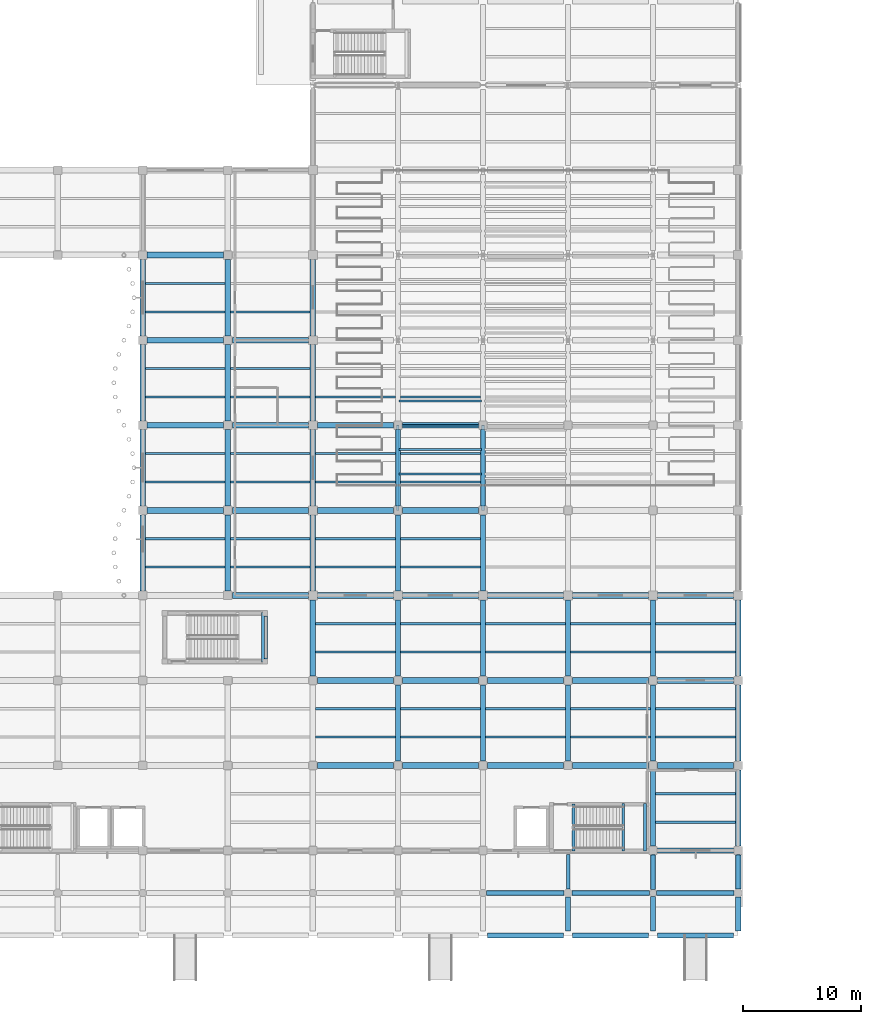
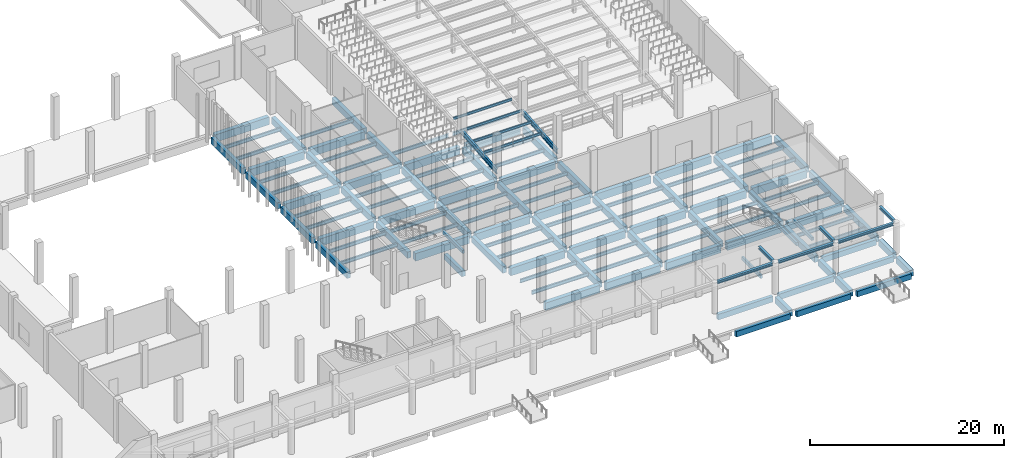
# One storey, part 16 of 46: 132 beams.
"""IFC4 building model written with IfcOpenShell, lengths in metres."""

from ifc_helpers import new_model, si_unit, direction, frame, origin, origin_2d, place, context, subcontext, project, spatial, rectangle, i_section, extrude, material, material_profile, profile_set, type_object, element, save


model = new_model("IFC4")

# Units and contexts
model_context = context("Model", 3, precision=1e-05, world=origin(), true_north=direction((0.0, 1.0)))
body_context = subcontext(model_context, "Body", "Model", "MODEL_VIEW")
ifc_project = project(units=[si_unit("LENGTHUNIT", "METRE"), si_unit("AREAUNIT", "SQUARE_METRE"), si_unit("VOLUMEUNIT", "CUBIC_METRE"), si_unit("PLANEANGLEUNIT", "RADIAN"), si_unit("MASSUNIT", "GRAM", prefix="KILO"), si_unit("THERMODYNAMICTEMPERATUREUNIT", "KELVIN"), si_unit("POWERUNIT", "WATT")], contexts=[model_context])

# Site, building, storey
site_placement = place(None, origin())
site = spatial("IfcSite", under=ifc_project, at=site_placement, CompositionType="ELEMENT")
building_placement = place(site_placement, origin())
building = spatial("IfcBuilding", under=site, at=building_placement, Name="Kaldorven Railside Theatre", CompositionType="ELEMENT")
storey_placement = place(building_placement, origin())
storey = spatial("IfcBuildingStorey", under=building, at=storey_placement, Name="L00", CompositionType="ELEMENT", Elevation=0.0)

# Beams
ifc_material_1 = material(Name="Steel S355", Category="steel")
ifc_material_profile_1 = material_profile(ifc_material_1, i_section(OverallWidth=0.300048828125, OverallDepth=0.340087890625, WebThickness=0.011962890625, FlangeThickness=0.021484375, at=origin_2d()), Name="HEB 340")
ifc_profile_set_1 = profile_set([ifc_material_profile_1], Name="Steel S355")
beam_type_1 = type_object("IfcBeamType", Name="BM-HEB340", PredefinedType="SPANDREL", material=ifc_profile_set_1)
beam_1_placement = place(storey_placement, frame((108.800048828125, 15.949951171875, 3.739990234375), z_axis=(0.0, 1.0, 0.0), x_axis=(-1.0, 0.0, 0.0)))
element("IfcBeam", 1, at=beam_1_placement, inside=storey, type_object=beam_type_1, Name="Forecourt Canopy Outrigger Beam CANB-15", PredefinedType="SPANDREL", context=body_context, shape_type="SweptSolid", body=[
    extrude(i_section(OverallWidth=0.300048828125, OverallDepth=0.340087890625, WebThickness=0.011962890625, FlangeThickness=0.021484375, at=origin_2d()), origin(), (0.0, 0.0, 1.0), 2.900146484375),
])
beam_2_placement = place(storey_placement, frame((116.0, 15.89990234375, 3.739990234375), z_axis=(0.0, 1.0, 0.0), x_axis=(-1.0, 0.0, 0.0)))
element("IfcBeam", 2, at=beam_2_placement, inside=storey, type_object=beam_type_1, Name="Forecourt Canopy Outrigger Beam CANB-16", PredefinedType="SPANDREL", context=body_context, shape_type="SweptSolid", body=[
    extrude(i_section(OverallWidth=0.300048828125, OverallDepth=0.340087890625, WebThickness=0.011962890625, FlangeThickness=0.021484375, at=origin_2d()), origin(), (0.0, 0.0, 1.0), 2.9501953125),
])
beam_3_placement = place(storey_placement, frame((123.199951171875, 15.949951171875, 3.739990234375), z_axis=(0.0, 1.0, 0.0), x_axis=(-1.0, 0.0, 0.0)))
element("IfcBeam", 3, at=beam_3_placement, inside=storey, type_object=beam_type_1, Name="Forecourt Canopy Outrigger Beam CANB-17", PredefinedType="SPANDREL", context=body_context, shape_type="SweptSolid", body=[
    extrude(i_section(OverallWidth=0.300048828125, OverallDepth=0.340087890625, WebThickness=0.011962890625, FlangeThickness=0.021484375, at=origin_2d()), origin(), (0.0, 0.0, 1.0), 2.900146484375),
])
for number, where, z_axis, x_axis, name in (
    (4, (101.89990234375, 15.60009765625, 3.739990234375), (1.0, 0.0, 0.0), (0.0, 1.0, 0.0), "Forecourt Canopy Front Edge Girder CANE-14"),
    (5, (109.14990234375, 15.60009765625, 3.739990234375), (1.0, 0.0, 0.0), (0.0, 1.0, 0.0), "Forecourt Canopy Front Edge Girder CANE-15"),
    (6, (116.300048828125, 15.60009765625, 3.739990234375), (1.0, 0.0, 0.0), (0.0, 1.0, 0.0), "Forecourt Canopy Front Edge Girder CANE-16"),
):
    element("IfcBeam", number, at=place(storey_placement, frame(where, z_axis=z_axis, x_axis=x_axis)), inside=storey, type_object=beam_type_1, Name=name, PredefinedType="SPANDREL", context=body_context, shape_type="SweptSolid", body=[
        extrude(i_section(OverallWidth=0.300048828125, OverallDepth=0.340087890625, WebThickness=0.011962890625, FlangeThickness=0.021484375, at=origin_2d()), origin(), (0.0, 0.0, 1.0), 6.550048828125),
    ])
ifc_material_profile_2 = material_profile(ifc_material_1, i_section(OverallWidth=0.14990234375, OverallDepth=0.300048828125, WebThickness=0.007080078125, FlangeThickness=0.0107421875, at=origin_2d()), Name="IPE 300")
ifc_profile_set_2 = profile_set([ifc_material_profile_2], Name="Steel S355")
beam_type_2 = type_object("IfcBeamType", Name="BM-IPE300", PredefinedType="JOIST", material=ifc_profile_set_2)
for number, where, z_axis, x_axis, name in (
    (7, (94.510009765625, 51.08544921875, 1.080078125), (1.0, 0.0, 0.0), (0.0, 1.0, 0.0), "Seating Tier Transverse Bearer TBR-V1S-021"),
    (8, (94.510009765625, 53.142578125, 1.260009765625), (1.0, 0.0, 0.0), (0.0, 1.0, 0.0), "Seating Tier Transverse Bearer TBR-V1S-031"),
    (9, (94.510009765625, 55.199462890625, 1.43994140625), (1.0, 0.0, 0.0), (0.0, 1.0, 0.0), "Seating Tier Transverse Bearer TBR-V1S-041"),
    (10, (94.510009765625, 57.256591796875, 1.6201171875), (1.0, 0.0, 0.0), (0.0, 1.0, 0.0), "Seating Tier Transverse Bearer TBR-V1S-051"),
):
    element("IfcBeam", number, at=place(storey_placement, frame(where, z_axis=z_axis, x_axis=x_axis)), inside=storey, type_object=beam_type_2, Name=name, PredefinedType="JOIST", context=body_context, shape_type="SweptSolid", body=[
        extrude(i_section(OverallWidth=0.14990234375, OverallDepth=0.300048828125, WebThickness=0.007080078125, FlangeThickness=0.0107421875, at=origin_2d()), origin(), (0.0, 0.0, 1.0), 6.97998046875),
    ])
ifc_material_profile_3 = material_profile(ifc_material_1, i_section(OverallWidth=0.18994140625, OverallDepth=0.449951171875, WebThickness=0.009521484375, FlangeThickness=0.0146484375, at=origin_2d()), Name="IPE 450")
ifc_profile_set_3 = profile_set([ifc_material_profile_3], Name="Steel S355")
beam_type_3 = type_object("IfcBeamType", Name="BM-IPE450", PredefinedType="JOIST", material=ifc_profile_set_3)
for number, where, z_axis, x_axis, name in (
    (11, (116.22509765625, 21.60009765625, -0.544921875), (1.0, 0.0, 0.0), (0.0, 1.0, 0.0), "L00 Secondary Floor Joist JG-L00-116-0216"),
    (12, (116.22509765625, 24.0, -0.544921875), (1.0, 0.0, 0.0), (0.0, 1.0, 0.0), "L00 Secondary Floor Joist JG-L00-116-0240"),
    (13, (87.425048828125, 28.800048828125, -0.544921875), (1.0, 0.0, 0.0), (0.0, 1.0, 0.0), "L00 Secondary Floor Joist JG-L00-087-0288"),
    (14, (87.425048828125, 31.199951171875, -0.544921875), (1.0, 0.0, 0.0), (0.0, 1.0, 0.0), "L00 Secondary Floor Joist JG-L00-087-0312"),
    (15, (94.625, 28.800048828125, -0.544921875), (1.0, 0.0, 0.0), (0.0, 1.0, 0.0), "L00 Secondary Floor Joist JG-L00-094-0288"),
    (16, (94.625, 31.199951171875, -0.544921875), (1.0, 0.0, 0.0), (0.0, 1.0, 0.0), "L00 Secondary Floor Joist JG-L00-094-0312"),
    (17, (101.824951171875, 28.800048828125, -0.544921875), (1.0, 0.0, 0.0), (0.0, 1.0, 0.0), "L00 Secondary Floor Joist JG-L00-101-0288"),
    (18, (101.824951171875, 31.199951171875, -0.544921875), (1.0, 0.0, 0.0), (0.0, 1.0, 0.0), "L00 Secondary Floor Joist JG-L00-101-0312"),
    (19, (109.02490234375, 28.800048828125, -0.544921875), (1.0, 0.0, 0.0), (0.0, 1.0, 0.0), "L00 Secondary Floor Joist JG-L00-108-0288"),
    (20, (109.02490234375, 31.199951171875, -0.544921875), (1.0, 0.0, 0.0), (0.0, 1.0, 0.0), "L00 Secondary Floor Joist JG-L00-108-0312"),
    (21, (116.22509765625, 28.800048828125, -0.544921875), (1.0, 0.0, 0.0), (0.0, 1.0, 0.0), "L00 Secondary Floor Joist JG-L00-116-0288"),
    (22, (116.22509765625, 31.199951171875, -0.544921875), (1.0, 0.0, 0.0), (0.0, 1.0, 0.0), "L00 Secondary Floor Joist JG-L00-116-0312"),
    (23, (87.425048828125, 36.0, -0.544921875), (1.0, 0.0, 0.0), (0.0, 1.0, 0.0), "L00 Secondary Floor Joist JG-L00-087-0360"),
    (24, (87.425048828125, 38.39990234375, -0.544921875), (1.0, 0.0, 0.0), (0.0, 1.0, 0.0), "L00 Secondary Floor Joist JG-L00-087-0384"),
    (25, (94.625, 36.0, -0.544921875), (1.0, 0.0, 0.0), (0.0, 1.0, 0.0), "L00 Secondary Floor Joist JG-L00-094-0360"),
    (26, (94.625, 38.39990234375, -0.544921875), (1.0, 0.0, 0.0), (0.0, 1.0, 0.0), "L00 Secondary Floor Joist JG-L00-094-0384"),
    (27, (101.824951171875, 36.0, -0.544921875), (1.0, 0.0, 0.0), (0.0, 1.0, 0.0), "L00 Secondary Floor Joist JG-L00-101-0360"),
    (28, (101.824951171875, 38.39990234375, -0.544921875), (1.0, 0.0, 0.0), (0.0, 1.0, 0.0), "L00 Secondary Floor Joist JG-L00-101-0384"),
    (29, (109.02490234375, 36.0, -0.544921875), (1.0, 0.0, 0.0), (0.0, 1.0, 0.0), "L00 Secondary Floor Joist JG-L00-108-0360"),
    (30, (109.02490234375, 38.39990234375, -0.544921875), (1.0, 0.0, 0.0), (0.0, 1.0, 0.0), "L00 Secondary Floor Joist JG-L00-108-0384"),
    (31, (116.22509765625, 36.0, -0.544921875), (1.0, 0.0, 0.0), (0.0, 1.0, 0.0), "L00 Secondary Floor Joist JG-L00-116-0360"),
    (32, (116.22509765625, 38.39990234375, -0.544921875), (1.0, 0.0, 0.0), (0.0, 1.0, 0.0), "L00 Secondary Floor Joist JG-L00-116-0384"),
    (33, (73.02490234375, 43.199951171875, -0.52490234375), (1.0, 0.0, 0.0), (0.0, 1.0, 0.0), "L00 Secondary Floor Joist JG-L00-072-0432"),
    (34, (73.02490234375, 45.60009765625, -0.52490234375), (1.0, 0.0, 0.0), (0.0, 1.0, 0.0), "L00 Secondary Floor Joist JG-L00-072-0456"),
    (35, (80.22509765625, 43.199951171875, -0.52490234375), (1.0, 0.0, 0.0), (0.0, 1.0, 0.0), "L00 Secondary Floor Joist JG-L00-080-0432"),
    (36, (80.22509765625, 45.60009765625, -0.52490234375), (1.0, 0.0, 0.0), (0.0, 1.0, 0.0), "L00 Secondary Floor Joist JG-L00-080-0456"),
    (37, (87.425048828125, 43.199951171875, -0.574951171875), (1.0, 0.0, 0.0), (0.0, 1.0, 0.0), "L00 Secondary Floor Joist JG-L00-087-0432"),
    (38, (87.425048828125, 45.60009765625, -0.574951171875), (1.0, 0.0, 0.0), (0.0, 1.0, 0.0), "L00 Secondary Floor Joist JG-L00-087-0456"),
    (39, (94.625, 43.199951171875, -0.574951171875), (1.0, 0.0, 0.0), (0.0, 1.0, 0.0), "L00 Secondary Floor Joist JG-L00-094-0432"),
    (40, (94.625, 45.60009765625, -0.574951171875), (1.0, 0.0, 0.0), (0.0, 1.0, 0.0), "L00 Secondary Floor Joist JG-L00-094-0456"),
    (41, (73.02490234375, 50.39990234375, -0.52490234375), (1.0, 0.0, 0.0), (0.0, 1.0, 0.0), "L00 Secondary Floor Joist JG-L00-072-0504"),
    (42, (73.02490234375, 52.800048828125, -0.52490234375), (1.0, 0.0, 0.0), (0.0, 1.0, 0.0), "L00 Secondary Floor Joist JG-L00-072-0528"),
    (43, (80.22509765625, 50.39990234375, -0.52490234375), (1.0, 0.0, 0.0), (0.0, 1.0, 0.0), "L00 Secondary Floor Joist JG-L00-080-0504"),
    (44, (80.22509765625, 52.800048828125, -0.52490234375), (1.0, 0.0, 0.0), (0.0, 1.0, 0.0), "L00 Secondary Floor Joist JG-L00-080-0528"),
    (45, (87.425048828125, 50.39990234375, -0.574951171875), (1.0, 0.0, 0.0), (0.0, 1.0, 0.0), "L00 Secondary Floor Joist JG-L00-087-0504"),
    (46, (87.425048828125, 52.800048828125, -0.574951171875), (1.0, 0.0, 0.0), (0.0, 1.0, 0.0), "L00 Secondary Floor Joist JG-L00-087-0528"),
    (47, (94.625, 50.39990234375, -0.574951171875), (1.0, 0.0, 0.0), (0.0, 1.0, 0.0), "L00 Secondary Floor Joist JG-L00-094-0504"),
    (48, (94.625, 52.800048828125, -0.574951171875), (1.0, 0.0, 0.0), (0.0, 1.0, 0.0), "L00 Secondary Floor Joist JG-L00-094-0528"),
    (49, (73.02490234375, 57.60009765625, -0.52490234375), (1.0, 0.0, 0.0), (0.0, 1.0, 0.0), "L00 Secondary Floor Joist JG-L00-072-0576"),
    (50, (73.02490234375, 60.0, -0.52490234375), (1.0, 0.0, 0.0), (0.0, 1.0, 0.0), "L00 Secondary Floor Joist JG-L00-072-0600"),
    (51, (80.22509765625, 57.60009765625, -0.52490234375), (1.0, 0.0, 0.0), (0.0, 1.0, 0.0), "L00 Secondary Floor Joist JG-L00-080-0576"),
    (52, (80.22509765625, 60.0, -0.52490234375), (1.0, 0.0, 0.0), (0.0, 1.0, 0.0), "L00 Secondary Floor Joist JG-L00-080-0600"),
    (53, (87.425048828125, 57.60009765625, -0.574951171875), (1.0, 0.0, 0.0), (0.0, 1.0, 0.0), "L00 Secondary Floor Joist JG-L00-087-0576"),
    (54, (94.625, 57.60009765625, -0.574951171875), (1.0, 0.0, 0.0), (0.0, 1.0, 0.0), "L00 Secondary Floor Joist JG-L00-094-0576"),
    (55, (73.02490234375, 64.800048828125, -0.52490234375), (1.0, 0.0, 0.0), (0.0, 1.0, 0.0), "L00 Secondary Floor Joist JG-L00-072-0648"),
    (56, (73.02490234375, 67.199951171875, -0.52490234375), (1.0, 0.0, 0.0), (0.0, 1.0, 0.0), "L00 Secondary Floor Joist JG-L00-072-0672"),
    (57, (80.22509765625, 64.800048828125, -0.52490234375), (1.0, 0.0, 0.0), (0.0, 1.0, 0.0), "L00 Secondary Floor Joist JG-L00-080-0648"),
):
    element("IfcBeam", number, at=place(storey_placement, frame(where, z_axis=z_axis, x_axis=x_axis)), inside=storey, type_object=beam_type_3, Name=name, PredefinedType="JOIST", context=body_context, shape_type="SweptSolid", body=[
        extrude(i_section(OverallWidth=0.18994140625, OverallDepth=0.449951171875, WebThickness=0.009521484375, FlangeThickness=0.0146484375, at=origin_2d()), origin(), (0.0, 0.0, 1.0), 6.75),
    ])
ifc_material_profile_4 = material_profile(ifc_material_1, i_section(OverallWidth=0.219970703125, OverallDepth=0.60009765625, WebThickness=0.011962890625, FlangeThickness=0.01904296875, at=origin_2d()), Name="IPE 600")
ifc_profile_set_4 = profile_set([ifc_material_profile_4], Name="Steel S355")
beam_type_4 = type_object("IfcBeamType", Name="BM-IPE600", PredefinedType="USERDEFINED", material=ifc_profile_set_4)
for number, where, z_axis, x_axis, name in (
    (58, (94.39990234375, 48.0, 0.6201171875), (0.0, 0.996195074008, 0.087151445897), (-1.0, 0.0, 0.0), "Auditorium Raker Girder RKG-V1S-11"),
    (59, (101.60009765625, 48.0, 0.6201171875), (0.0, 0.996195074008, 0.087151445897), (-1.0, 0.0, 0.0), "Auditorium Raker Girder RKG-V1S-21"),
):
    element("IfcBeam", number, at=place(storey_placement, frame(where, z_axis=z_axis, x_axis=x_axis)), inside=storey, type_object=beam_type_4, Name=name, ObjectType="RAKER BEAM", PredefinedType="USERDEFINED", context=body_context, shape_type="SweptSolid", body=[
        extrude(i_section(OverallWidth=0.219970703125, OverallDepth=0.60009765625, WebThickness=0.011962890625, FlangeThickness=0.01904296875, at=origin_2d()), origin(), (0.0, 0.0, 1.0), 7.2275390625),
    ])
ifc_material_2 = material(Name="Concrete C40/50", Category="concrete")
ifc_material_profile_5 = material_profile(ifc_material_2, rectangle(XDim=0.25, YDim=0.39990234375, at=origin_2d()), Name="RC 250x400")
ifc_profile_set_5 = profile_set([ifc_material_profile_5], Name="Concrete C40/50")
beam_type_5 = type_object("IfcBeamType", Name="BM-RC250x400", PredefinedType="LINTEL", material=ifc_profile_set_5)
beam_4_placement = place(storey_placement, frame((109.25, 19.169921875, -0.344970703125), z_axis=(0.0, 1.0, 0.0), x_axis=(-1.0, 0.0, 0.0)))
element("IfcBeam", 60, at=beam_4_placement, inside=storey, type_object=beam_type_5, Name="Stair ST-04 L00 Landing Trimmer Beam", PredefinedType="LINTEL", context=body_context, shape_type="SweptSolid", body=[
    extrude(rectangle(XDim=0.25, YDim=0.39990234375, at=origin_2d()), origin(), (0.0, 0.0, 1.0), 3.9599609375),
])
for number, where, z_axis, x_axis, name in (
    (61, (113.47509765625, 19.139892578125, 2.300048828125), (0.0, 1.0, 0.0), (-1.0, 0.0, 0.0), "Stair ST-04 L00 Half-Landing Bearer"),
    (62, (115.330078125, 19.139892578125, 2.300048828125), (0.0, 1.0, 0.0), (-1.0, 0.0, 0.0), "Stair ST-04 L00 Half-Landing Bearer"),
):
    element("IfcBeam", number, at=place(storey_placement, frame(where, z_axis=z_axis, x_axis=x_axis)), inside=storey, type_object=beam_type_5, Name=name, PredefinedType="LINTEL", context=body_context, shape_type="SweptSolid", body=[
        extrude(rectangle(XDim=0.25, YDim=0.39990234375, at=origin_2d()), origin(), (0.0, 0.0, 1.0), 4.02001953125),
    ])
beam_5_placement = place(storey_placement, frame((82.97998046875, 35.139892578125, 2.300048828125), z_axis=(0.0, 1.0, 0.0), x_axis=(-1.0, 0.0, 0.0)))
element("IfcBeam", 63, at=beam_5_placement, inside=storey, type_object=beam_type_5, Name="Stair ST-07 L00 Half-Landing Bearer", PredefinedType="LINTEL", context=body_context, shape_type="SweptSolid", body=[
    extrude(rectangle(XDim=0.25, YDim=0.39990234375, at=origin_2d()), origin(), (0.0, 0.0, 1.0), 4.22021484375),
])
ifc_material_profile_6 = material_profile(ifc_material_2, rectangle(XDim=0.39990234375, YDim=0.699951171875, at=origin_2d()), Name="RC 400x700")
ifc_profile_set_6 = profile_set([ifc_material_profile_6], Name="Concrete C40/50")
beam_type_6 = type_object("IfcBeamType", Name="BM-RC400x700", PredefinedType="BEAM", material=ifc_profile_set_6)
for number, where, z_axis, x_axis, name in (
    (64, (101.97509765625, 12.0, -0.60009765625), (1.0, 0.0, 0.0), (0.0, 1.0, 0.0), "L00 Girder BGX-L00-101-012"),
    (65, (109.175048828125, 12.0, -0.60009765625), (1.0, 0.0, 0.0), (0.0, 1.0, 0.0), "L00 Girder BGX-L00-108-012"),
    (66, (116.375, 12.0, -0.60009765625), (1.0, 0.0, 0.0), (0.0, 1.0, 0.0), "L00 Girder BGX-L00-116-012"),
):
    element("IfcBeam", number, at=place(storey_placement, frame(where, z_axis=z_axis, x_axis=x_axis)), inside=storey, type_object=beam_type_6, Name=name, PredefinedType="BEAM", context=body_context, shape_type="SweptSolid", body=[
        extrude(rectangle(XDim=0.39990234375, YDim=0.699951171875, at=origin_2d()), origin(), (0.0, 0.0, 1.0), 6.449951171875),
    ])
for number, where, z_axis, x_axis, name in (
    (67, (101.89990234375, 15.60009765625, -0.60009765625), (1.0, 0.0, 0.0), (0.0, 1.0, 0.0), "L00 Girder BGX-L00-101-015"),
    (68, (109.14990234375, 15.60009765625, -0.60009765625), (1.0, 0.0, 0.0), (0.0, 1.0, 0.0), "L00 Girder BGX-L00-108-015"),
    (69, (116.300048828125, 15.60009765625, -0.60009765625), (1.0, 0.0, 0.0), (0.0, 1.0, 0.0), "L00 Girder BGX-L00-116-015"),
):
    element("IfcBeam", number, at=place(storey_placement, frame(where, z_axis=z_axis, x_axis=x_axis)), inside=storey, type_object=beam_type_6, Name=name, PredefinedType="BEAM", context=body_context, shape_type="SweptSolid", body=[
        extrude(rectangle(XDim=0.39990234375, YDim=0.699951171875, at=origin_2d()), origin(), (0.0, 0.0, 1.0), 6.550048828125),
    ])
beam_6_placement = place(storey_placement, frame((116.375, 19.199951171875, -0.669921875), z_axis=(1.0, 0.0, 0.0), x_axis=(0.0, 1.0, 0.0)))
element("IfcBeam", 70, at=beam_6_placement, inside=storey, type_object=beam_type_6, Name="L00 Girder BGX-L00-116-019", PredefinedType="BEAM", context=body_context, shape_type="SweptSolid", body=[
    extrude(rectangle(XDim=0.39990234375, YDim=0.699951171875, at=origin_2d()), origin(), (0.0, 0.0, 1.0), 6.449951171875),
])
beam_7_placement = place(storey_placement, frame((83.14990234375, 35.425048828125, -0.669921875), z_axis=(0.0, 1.0, 0.0), x_axis=(-1.0, 0.0, 0.0)))
element("IfcBeam", 71, at=beam_7_placement, inside=storey, type_object=beam_type_6, Name="Core ST-07 L00 Ring Girder", PredefinedType="BEAM", context=body_context, shape_type="SweptSolid", body=[
    extrude(rectangle(XDim=0.39990234375, YDim=0.699951171875, at=origin_2d()), origin(), (0.0, 0.0, 1.0), 3.64990234375),
])
ifc_material_profile_7 = material_profile(ifc_material_2, rectangle(XDim=0.449951171875, YDim=0.800048828125, at=origin_2d()), Name="RC 450x800")
ifc_profile_set_7 = profile_set([ifc_material_profile_7], Name="Concrete C40/50")
beam_type_7 = type_object("IfcBeamType", Name="BM-RC450x800", PredefinedType="BEAM", material=ifc_profile_set_7)
beam_8_placement = place(storey_placement, frame((108.800048828125, 12.375, -0.64990234375), z_axis=(0.0, 1.0, 0.0), x_axis=(-1.0, 0.0, 0.0)))
element("IfcBeam", 72, at=beam_8_placement, inside=storey, type_object=beam_type_7, Name="L00 Girder BGY-L00-108-012-36", PredefinedType="BEAM", context=body_context, shape_type="SweptSolid", body=[
    extrude(rectangle(XDim=0.449951171875, YDim=0.800048828125, at=origin_2d()), origin(), (0.0, 0.0, 1.0), 2.875),
])
beam_9_placement = place(storey_placement, frame((116.0, 12.375, -0.64990234375), z_axis=(0.0, 1.0, 0.0), x_axis=(-1.0, 0.0, 0.0)))
element("IfcBeam", 73, at=beam_9_placement, inside=storey, type_object=beam_type_7, Name="L00 Girder BGY-L00-116-012-36", PredefinedType="BEAM", context=body_context, shape_type="SweptSolid", body=[
    extrude(rectangle(XDim=0.449951171875, YDim=0.800048828125, at=origin_2d()), origin(), (0.0, 0.0, 1.0), 2.925048828125),
])
beam_10_placement = place(storey_placement, frame((123.199951171875, 12.375, -0.64990234375), z_axis=(0.0, 1.0, 0.0), x_axis=(-1.0, 0.0, 0.0)))
element("IfcBeam", 74, at=beam_10_placement, inside=storey, type_object=beam_type_7, Name="L00 Girder BGY-L00-123-012-36", PredefinedType="BEAM", context=body_context, shape_type="SweptSolid", body=[
    extrude(rectangle(XDim=0.449951171875, YDim=0.800048828125, at=origin_2d()), origin(), (0.0, 0.0, 1.0), 2.875),
])
beam_11_placement = place(storey_placement, frame((116.0, 15.89990234375, -0.64990234375), z_axis=(0.0, 1.0, 0.0), x_axis=(-1.0, 0.0, 0.0)))
element("IfcBeam", 75, at=beam_11_placement, inside=storey, type_object=beam_type_7, Name="L00 Girder BGY-L00-116-015-36", PredefinedType="BEAM", context=body_context, shape_type="SweptSolid", body=[
    extrude(rectangle(XDim=0.449951171875, YDim=0.800048828125, at=origin_2d()), origin(), (0.0, 0.0, 1.0), 2.925048828125),
])
beam_12_placement = place(storey_placement, frame((123.199951171875, 15.949951171875, -0.64990234375), z_axis=(0.0, 1.0, 0.0), x_axis=(-1.0, 0.0, 0.0)))
element("IfcBeam", 76, at=beam_12_placement, inside=storey, type_object=beam_type_7, Name="L00 Girder BGY-L00-123-015-36", PredefinedType="BEAM", context=body_context, shape_type="SweptSolid", body=[
    extrude(rectangle(XDim=0.449951171875, YDim=0.800048828125, at=origin_2d()), origin(), (0.0, 0.0, 1.0), 2.875),
])
for number, where, z_axis, x_axis, name in (
    (77, (116.0, 19.574951171875, -0.719970703125), (0.0, 1.0, 0.0), (-1.0, 0.0, 0.0), "L00 Girder BGY-L00-116-019-72"),
    (78, (123.199951171875, 19.574951171875, -0.719970703125), (0.0, 1.0, 0.0), (-1.0, 0.0, 0.0), "L00 Girder BGY-L00-123-019-72"),
):
    element("IfcBeam", number, at=place(storey_placement, frame(where, z_axis=z_axis, x_axis=x_axis)), inside=storey, type_object=beam_type_7, Name=name, PredefinedType="BEAM", context=body_context, shape_type="SweptSolid", body=[
        extrude(rectangle(XDim=0.449951171875, YDim=0.800048828125, at=origin_2d()), origin(), (0.0, 0.0, 1.0), 6.449951171875),
    ])
for number, where, z_axis, x_axis, name in (
    (79, (94.39990234375, 26.77490234375, -0.719970703125), (0.0, 1.0, 0.0), (-1.0, 0.0, 0.0), "L00 Girder BGY-L00-094-026-72"),
    (80, (101.60009765625, 26.77490234375, -0.719970703125), (0.0, 1.0, 0.0), (-1.0, 0.0, 0.0), "L00 Girder BGY-L00-101-026-72"),
    (81, (108.800048828125, 26.77490234375, -0.719970703125), (0.0, 1.0, 0.0), (-1.0, 0.0, 0.0), "L00 Girder BGY-L00-108-026-72"),
    (82, (116.0, 26.77490234375, -0.719970703125), (0.0, 1.0, 0.0), (-1.0, 0.0, 0.0), "L00 Girder BGY-L00-116-026-72"),
    (83, (123.199951171875, 26.77490234375, -0.719970703125), (0.0, 1.0, 0.0), (-1.0, 0.0, 0.0), "L00 Girder BGY-L00-123-026-72"),
):
    element("IfcBeam", number, at=place(storey_placement, frame(where, z_axis=z_axis, x_axis=x_axis)), inside=storey, type_object=beam_type_7, Name=name, PredefinedType="BEAM", context=body_context, shape_type="SweptSolid", body=[
        extrude(rectangle(XDim=0.449951171875, YDim=0.800048828125, at=origin_2d()), origin(), (0.0, 0.0, 1.0), 6.4501953125),
    ])
for number, where, z_axis, x_axis, name in (
    (84, (87.199951171875, 33.97509765625, -0.719970703125), (0.0, 1.0, 0.0), (-1.0, 0.0, 0.0), "L00 Girder BGY-L00-087-033-72"),
    (85, (94.39990234375, 33.97509765625, -0.719970703125), (0.0, 1.0, 0.0), (-1.0, 0.0, 0.0), "L00 Girder BGY-L00-094-033-72"),
    (86, (101.60009765625, 33.97509765625, -0.719970703125), (0.0, 1.0, 0.0), (-1.0, 0.0, 0.0), "L00 Girder BGY-L00-101-033-72"),
    (87, (108.800048828125, 33.97509765625, -0.719970703125), (0.0, 1.0, 0.0), (-1.0, 0.0, 0.0), "L00 Girder BGY-L00-108-033-72"),
    (88, (116.0, 33.97509765625, -0.719970703125), (0.0, 1.0, 0.0), (-1.0, 0.0, 0.0), "L00 Girder BGY-L00-116-033-72"),
    (89, (123.199951171875, 33.97509765625, -0.719970703125), (0.0, 1.0, 0.0), (-1.0, 0.0, 0.0), "L00 Girder BGY-L00-123-033-72"),
    (90, (72.800048828125, 41.175048828125, -0.699951171875), (0.0, 1.0, 0.0), (-1.0, 0.0, 0.0), "L00 Girder BGY-L00-072-040-72"),
    (91, (80.0, 41.175048828125, -0.699951171875), (0.0, 1.0, 0.0), (-1.0, 0.0, 0.0), "L00 Girder BGY-L00-080-040-72"),
    (92, (87.199951171875, 41.175048828125, -0.75), (0.0, 1.0, 0.0), (-1.0, 0.0, 0.0), "L00 Girder BGY-L00-087-040-72"),
    (93, (94.39990234375, 41.175048828125, -0.75), (0.0, 1.0, 0.0), (-1.0, 0.0, 0.0), "L00 Girder BGY-L00-094-040-72"),
    (94, (101.60009765625, 41.175048828125, -0.75), (0.0, 1.0, 0.0), (-1.0, 0.0, 0.0), "L00 Girder BGY-L00-101-040-72"),
    (95, (72.800048828125, 48.375, -0.699951171875), (0.0, 1.0, 0.0), (-1.0, 0.0, 0.0), "L00 Girder BGY-L00-072-048-72"),
    (96, (80.0, 48.375, -0.699951171875), (0.0, 1.0, 0.0), (-1.0, 0.0, 0.0), "L00 Girder BGY-L00-080-048-72"),
    (97, (87.199951171875, 48.375, -0.75), (0.0, 1.0, 0.0), (-1.0, 0.0, 0.0), "L00 Girder BGY-L00-087-048-72"),
    (98, (94.39990234375, 48.375, -0.75), (0.0, 1.0, 0.0), (-1.0, 0.0, 0.0), "L00 Girder BGY-L00-094-048-72"),
    (99, (101.60009765625, 48.375, -0.75), (0.0, 1.0, 0.0), (-1.0, 0.0, 0.0), "L00 Girder BGY-L00-101-048-72"),
    (100, (72.800048828125, 55.574951171875, -0.699951171875), (0.0, 1.0, 0.0), (-1.0, 0.0, 0.0), "L00 Girder BGY-L00-072-055-72"),
    (101, (80.0, 55.574951171875, -0.699951171875), (0.0, 1.0, 0.0), (-1.0, 0.0, 0.0), "L00 Girder BGY-L00-080-055-72"),
    (102, (87.199951171875, 55.574951171875, -0.75), (0.0, 1.0, 0.0), (-1.0, 0.0, 0.0), "L00 Girder BGY-L00-087-055-72"),
):
    element("IfcBeam", number, at=place(storey_placement, frame(where, z_axis=z_axis, x_axis=x_axis)), inside=storey, type_object=beam_type_7, Name=name, PredefinedType="BEAM", context=body_context, shape_type="SweptSolid", body=[
        extrude(rectangle(XDim=0.449951171875, YDim=0.800048828125, at=origin_2d()), origin(), (0.0, 0.0, 1.0), 6.449951171875),
    ])
for number, where, z_axis, x_axis, name in (
    (103, (72.800048828125, 62.77490234375, -0.699951171875), (0.0, 1.0, 0.0), (-1.0, 0.0, 0.0), "L00 Girder BGY-L00-072-062-72"),
    (104, (80.0, 62.77490234375, -0.699951171875), (0.0, 1.0, 0.0), (-1.0, 0.0, 0.0), "L00 Girder BGY-L00-080-062-72"),
    (105, (87.199951171875, 62.77490234375, -0.75), (0.0, 1.0, 0.0), (-1.0, 0.0, 0.0), "L00 Girder BGY-L00-087-062-72"),
):
    element("IfcBeam", number, at=place(storey_placement, frame(where, z_axis=z_axis, x_axis=x_axis)), inside=storey, type_object=beam_type_7, Name=name, PredefinedType="BEAM", context=body_context, shape_type="SweptSolid", body=[
        extrude(rectangle(XDim=0.449951171875, YDim=0.800048828125, at=origin_2d()), origin(), (0.0, 0.0, 1.0), 6.4501953125),
    ])
ifc_material_profile_8 = material_profile(ifc_material_2, rectangle(XDim=0.5, YDim=0.949951171875, at=origin_2d()), Name="RC 500x950")
ifc_profile_set_8 = profile_set([ifc_material_profile_8], Name="Concrete C40/50")
beam_type_8 = type_object("IfcBeamType", Name="BM-RC500x950", PredefinedType="BEAM", material=ifc_profile_set_8)
beam_13_placement = place(storey_placement, frame((87.574951171875, 26.39990234375, -0.794921875), z_axis=(1.0, 0.0, 0.0), x_axis=(0.0, 1.0, 0.0)))
element("IfcBeam", 106, at=beam_13_placement, inside=storey, type_object=beam_type_8, Name="L00 Girder BGX-L00-087-026", PredefinedType="BEAM", context=body_context, shape_type="SweptSolid", body=[
    extrude(rectangle(XDim=0.5, YDim=0.949951171875, at=origin_2d()), origin(), (0.0, 0.0, 1.0), 6.449951171875),
])
beam_14_placement = place(storey_placement, frame((94.77490234375, 26.39990234375, -0.794921875), z_axis=(1.0, 0.0, 0.0), x_axis=(0.0, 1.0, 0.0)))
element("IfcBeam", 107, at=beam_14_placement, inside=storey, type_object=beam_type_8, Name="L00 Girder BGX-L00-094-026", PredefinedType="BEAM", context=body_context, shape_type="SweptSolid", body=[
    extrude(rectangle(XDim=0.5, YDim=0.949951171875, at=origin_2d()), origin(), (0.0, 0.0, 1.0), 6.4501953125),
])
for number, where, z_axis, x_axis, name in (
    (108, (101.97509765625, 26.39990234375, -0.794921875), (1.0, 0.0, 0.0), (0.0, 1.0, 0.0), "L00 Girder BGX-L00-101-026"),
    (109, (109.175048828125, 26.39990234375, -0.794921875), (1.0, 0.0, 0.0), (0.0, 1.0, 0.0), "L00 Girder BGX-L00-108-026"),
    (110, (116.375, 26.39990234375, -0.794921875), (1.0, 0.0, 0.0), (0.0, 1.0, 0.0), "L00 Girder BGX-L00-116-026"),
    (111, (87.574951171875, 33.60009765625, -0.794921875), (1.0, 0.0, 0.0), (0.0, 1.0, 0.0), "L00 Girder BGX-L00-087-033"),
):
    element("IfcBeam", number, at=place(storey_placement, frame(where, z_axis=z_axis, x_axis=x_axis)), inside=storey, type_object=beam_type_8, Name=name, PredefinedType="BEAM", context=body_context, shape_type="SweptSolid", body=[
        extrude(rectangle(XDim=0.5, YDim=0.949951171875, at=origin_2d()), origin(), (0.0, 0.0, 1.0), 6.449951171875),
    ])
beam_15_placement = place(storey_placement, frame((94.77490234375, 33.60009765625, -0.794921875), z_axis=(1.0, 0.0, 0.0), x_axis=(0.0, 1.0, 0.0)))
element("IfcBeam", 112, at=beam_15_placement, inside=storey, type_object=beam_type_8, Name="L00 Girder BGX-L00-094-033", PredefinedType="BEAM", context=body_context, shape_type="SweptSolid", body=[
    extrude(rectangle(XDim=0.5, YDim=0.949951171875, at=origin_2d()), origin(), (0.0, 0.0, 1.0), 6.4501953125),
])
for number, where, z_axis, x_axis, name in (
    (113, (101.97509765625, 33.60009765625, -0.794921875), (1.0, 0.0, 0.0), (0.0, 1.0, 0.0), "L00 Girder BGX-L00-101-033"),
    (114, (109.175048828125, 33.60009765625, -0.794921875), (1.0, 0.0, 0.0), (0.0, 1.0, 0.0), "L00 Girder BGX-L00-108-033"),
    (115, (116.375, 33.60009765625, -0.794921875), (1.0, 0.0, 0.0), (0.0, 1.0, 0.0), "L00 Girder BGX-L00-116-033"),
    (116, (80.375, 40.800048828125, -0.794921875), (1.0, 0.0, 0.0), (0.0, 1.0, 0.0), "L00 Girder BGX-L00-080-040"),
    (117, (87.574951171875, 40.800048828125, -0.824951171875), (1.0, 0.0, 0.0), (0.0, 1.0, 0.0), "L00 Girder BGX-L00-087-040"),
):
    element("IfcBeam", number, at=place(storey_placement, frame(where, z_axis=z_axis, x_axis=x_axis)), inside=storey, type_object=beam_type_8, Name=name, PredefinedType="BEAM", context=body_context, shape_type="SweptSolid", body=[
        extrude(rectangle(XDim=0.5, YDim=0.949951171875, at=origin_2d()), origin(), (0.0, 0.0, 1.0), 6.449951171875),
    ])
beam_16_placement = place(storey_placement, frame((94.77490234375, 40.800048828125, -0.824951171875), z_axis=(1.0, 0.0, 0.0), x_axis=(0.0, 1.0, 0.0)))
element("IfcBeam", 118, at=beam_16_placement, inside=storey, type_object=beam_type_8, Name="L00 Girder BGX-L00-094-040", PredefinedType="BEAM", context=body_context, shape_type="SweptSolid", body=[
    extrude(rectangle(XDim=0.5, YDim=0.949951171875, at=origin_2d()), origin(), (0.0, 0.0, 1.0), 6.4501953125),
])
for number, where, z_axis, x_axis, name in (
    (119, (101.97509765625, 40.800048828125, -0.824951171875), (1.0, 0.0, 0.0), (0.0, 1.0, 0.0), "L00 Girder BGX-L00-101-040"),
    (120, (109.175048828125, 40.800048828125, -0.824951171875), (1.0, 0.0, 0.0), (0.0, 1.0, 0.0), "L00 Girder BGX-L00-108-040"),
    (121, (116.375, 40.800048828125, -0.824951171875), (1.0, 0.0, 0.0), (0.0, 1.0, 0.0), "L00 Girder BGX-L00-116-040"),
    (122, (73.175048828125, 48.0, -0.77490234375), (1.0, 0.0, 0.0), (0.0, 1.0, 0.0), "L00 Girder BGX-L00-072-048"),
    (123, (80.375, 48.0, -0.77490234375), (1.0, 0.0, 0.0), (0.0, 1.0, 0.0), "L00 Girder BGX-L00-080-048"),
    (124, (87.574951171875, 48.0, -0.824951171875), (1.0, 0.0, 0.0), (0.0, 1.0, 0.0), "L00 Girder BGX-L00-087-048"),
):
    element("IfcBeam", number, at=place(storey_placement, frame(where, z_axis=z_axis, x_axis=x_axis)), inside=storey, type_object=beam_type_8, Name=name, PredefinedType="BEAM", context=body_context, shape_type="SweptSolid", body=[
        extrude(rectangle(XDim=0.5, YDim=0.949951171875, at=origin_2d()), origin(), (0.0, 0.0, 1.0), 6.449951171875),
    ])
beam_17_placement = place(storey_placement, frame((94.77490234375, 48.0, -0.824951171875), z_axis=(1.0, 0.0, 0.0), x_axis=(0.0, 1.0, 0.0)))
element("IfcBeam", 125, at=beam_17_placement, inside=storey, type_object=beam_type_8, Name="L00 Girder BGX-L00-094-048", PredefinedType="BEAM", context=body_context, shape_type="SweptSolid", body=[
    extrude(rectangle(XDim=0.5, YDim=0.949951171875, at=origin_2d()), origin(), (0.0, 0.0, 1.0), 6.4501953125),
])
for number, where, z_axis, x_axis, name in (
    (126, (73.175048828125, 55.199951171875, -0.77490234375), (1.0, 0.0, 0.0), (0.0, 1.0, 0.0), "L00 Girder BGX-L00-072-055"),
    (127, (80.375, 55.199951171875, -0.77490234375), (1.0, 0.0, 0.0), (0.0, 1.0, 0.0), "L00 Girder BGX-L00-080-055"),
    (128, (87.574951171875, 55.199951171875, -0.824951171875), (1.0, 0.0, 0.0), (0.0, 1.0, 0.0), "L00 Girder BGX-L00-087-055"),
):
    element("IfcBeam", number, at=place(storey_placement, frame(where, z_axis=z_axis, x_axis=x_axis)), inside=storey, type_object=beam_type_8, Name=name, PredefinedType="BEAM", context=body_context, shape_type="SweptSolid", body=[
        extrude(rectangle(XDim=0.5, YDim=0.949951171875, at=origin_2d()), origin(), (0.0, 0.0, 1.0), 6.449951171875),
    ])
beam_18_placement = place(storey_placement, frame((94.77490234375, 55.199951171875, -0.824951171875), z_axis=(1.0, 0.0, 0.0), x_axis=(0.0, 1.0, 0.0)))
element("IfcBeam", 129, at=beam_18_placement, inside=storey, type_object=beam_type_8, Name="L00 Girder BGX-L00-094-055", PredefinedType="BEAM", context=body_context, shape_type="SweptSolid", body=[
    extrude(rectangle(XDim=0.5, YDim=0.949951171875, at=origin_2d()), origin(), (0.0, 0.0, 1.0), 6.4501953125),
])
for number, where, z_axis, x_axis, name in (
    (130, (73.175048828125, 62.39990234375, -0.77490234375), (1.0, 0.0, 0.0), (0.0, 1.0, 0.0), "L00 Girder BGX-L00-072-062"),
    (131, (80.375, 62.39990234375, -0.77490234375), (1.0, 0.0, 0.0), (0.0, 1.0, 0.0), "L00 Girder BGX-L00-080-062"),
    (132, (73.175048828125, 69.60009765625, -0.77490234375), (1.0, 0.0, 0.0), (0.0, 1.0, 0.0), "L00 Girder BGX-L00-072-069"),
):
    element("IfcBeam", number, at=place(storey_placement, frame(where, z_axis=z_axis, x_axis=x_axis)), inside=storey, type_object=beam_type_8, Name=name, PredefinedType="BEAM", context=body_context, shape_type="SweptSolid", body=[
        extrude(rectangle(XDim=0.5, YDim=0.949951171875, at=origin_2d()), origin(), (0.0, 0.0, 1.0), 6.449951171875),
    ])

save(model, "model.ifc")
